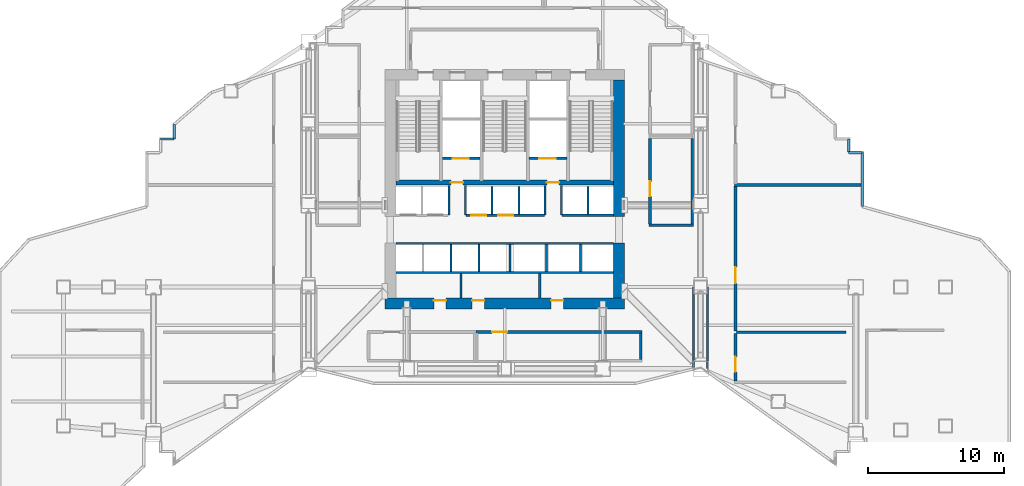
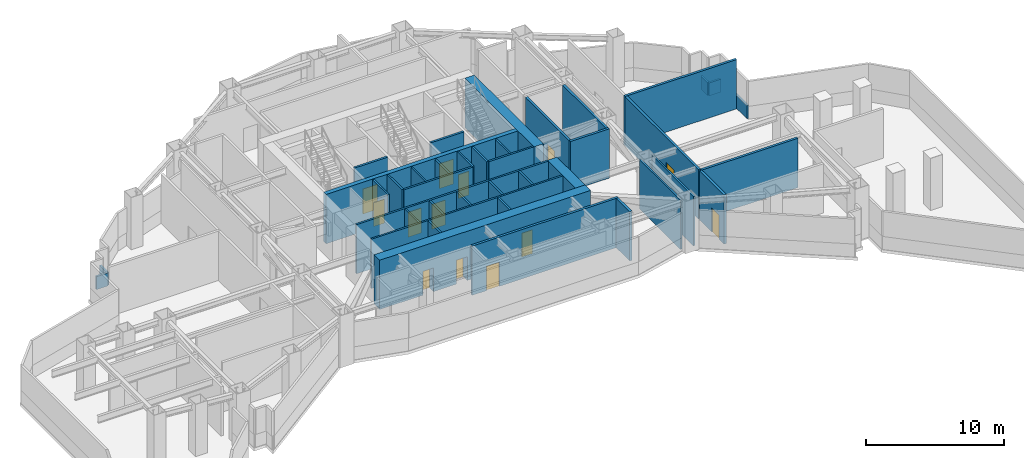
# One storey, part 14 of 23: 40 walls, 13 doors, 13 openings.
"""IFC4 building model written with IfcOpenShell, lengths in metres."""

from ifc_helpers import new_model, si_unit, direction, frame, frame_2d, origin, place, context, subcontext, project, spatial, rectangle, extrude, material, layer, layer_set, type_object, element, fill, save


model = new_model("IFC4")

# Units and contexts
model_context = context("Model", 3, precision=1e-05, world=origin(), true_north=direction((0.0, 1.0)))
body_context = subcontext(model_context, "Body", "Model", "MODEL_VIEW")
ifc_project = project(units=[si_unit("LENGTHUNIT", "METRE"), si_unit("AREAUNIT", "SQUARE_METRE"), si_unit("VOLUMEUNIT", "CUBIC_METRE"), si_unit("PLANEANGLEUNIT", "RADIAN"), si_unit("MASSUNIT", "GRAM", prefix="KILO")], contexts=[model_context])

# Site, building, storey
site_placement = place(None, origin())
site = spatial("IfcSite", under=ifc_project, at=site_placement, CompositionType="ELEMENT")
building_placement = place(site_placement, origin())
building = spatial("IfcBuilding", under=site, at=building_placement, Name="Haolan Belvedere Tower", CompositionType="ELEMENT")
storey_placement = place(building_placement, frame((0.0, 0.0, 89.39990234375)))
storey = spatial("IfcBuildingStorey", under=building, at=storey_placement, Name="L22", CompositionType="ELEMENT", Elevation=89.39990234375)

# Wall, openings, doors
ifc_material_1 = material(Name="Concrete C70/85", Category="concrete")
ifc_layer_1 = layer(ifc_material_1, 0.800048828125, Name="Concrete C70/85")
ifc_layer_set_1 = layer_set([ifc_layer_1], Name="Concrete C70/85")
wall_type_1 = type_object("IfcWallType", Name="WL-CORE-800", PredefinedType="SHEAR", material=ifc_layer_set_1)
wall_1_placement = place(storey_placement, frame((29.60009765625, 26.39990234375, 0.0), z_axis=(0.0, 0.0, 1.0), x_axis=(1.0, 0.0, 0.0)))
wall_1 = element("IfcWall", 1, at=wall_1_placement, inside=storey, type_object=wall_type_1, Name="L22 central core south shear wall", PredefinedType="SHEAR", context=body_context, shape_type="SweptSolid", body=[
    extrude(rectangle(XDim=17.599853515625, YDim=0.800048828125, at=frame_2d((8.7998046875, 0.0))), origin(), (0.0, 0.0, 1.0), 4.35009765625),
])
opening_1_placement = place(wall_1_placement, frame((4.5, 0.0, 0.0), z_axis=(0.0, 0.0, 1.0), x_axis=(-1.0, 0.0, 0.0)))
opening_1 = element("IfcOpeningElement", 2, at=opening_1_placement, cuts=wall_1, Name="Opening FD-05", PredefinedType="OPENING", context=body_context, shape_type="SweptSolid", body=[
    extrude(rectangle(XDim=0.89990234375, YDim=2.10009765625, at=frame_2d((0.449951171875, 1.050048828125))), frame((0.0, 0.409912109375, 0.0), z_axis=(0.0, -1.0, 0.0), x_axis=(1.0, 0.0, 0.0)), (0.0, 0.0, 1.0), 0.820068359375),
])
opening_2_placement = place(wall_1_placement, frame((7.309814453125, 0.0, 0.0), z_axis=(0.0, 0.0, 1.0), x_axis=(-1.0, 0.0, 0.0)))
opening_2 = element("IfcOpeningElement", 3, at=opening_2_placement, cuts=wall_1, Name="Opening FD-05", PredefinedType="OPENING", context=body_context, shape_type="SweptSolid", body=[
    extrude(rectangle(XDim=0.89990234375, YDim=2.10009765625, at=frame_2d((0.449951171875, 1.050048828125))), frame((0.0, 0.409912109375, 0.0), z_axis=(0.0, -1.0, 0.0), x_axis=(1.0, 0.0, 0.0)), (0.0, 0.0, 1.0), 0.820068359375),
])
opening_3_placement = place(wall_1_placement, frame((13.10986328125, 0.0, 0.0), z_axis=(0.0, 0.0, 1.0), x_axis=(-1.0, 0.0, 0.0)))
opening_3 = element("IfcOpeningElement", 4, at=opening_3_placement, cuts=wall_1, Name="Opening FD-05", PredefinedType="OPENING", context=body_context, shape_type="SweptSolid", body=[
    extrude(rectangle(XDim=0.89990234375, YDim=2.10009765625, at=frame_2d((0.449951171875, 1.050048828125))), frame((0.0, 0.409912109375, 0.0), z_axis=(0.0, -1.0, 0.0), x_axis=(1.0, 0.0, 0.0)), (0.0, 0.0, 1.0), 0.820068359375),
])
ifc_material_2 = material(Name="Galvanised fire-rated steel", Category="steel")
door_type_1 = type_object("IfcDoorType", Name="DR-FD60-900", OperationType="NOTDEFINED", PredefinedType="DOOR", material=ifc_material_2)
door_1_placement = place(opening_1_placement, origin())
door_1 = element("IfcDoor", 5, at=door_1_placement, inside=storey, type_object=door_type_1, Name="L22 door CD-L22-SCV-1", OperationType="SINGLE_SWING_LEFT", OverallHeight=2.10009765625, OverallWidth=0.89990234375, PredefinedType="DOOR", context=body_context, shape_type="SweptSolid", body=[
    extrude(rectangle(XDim=0.89990234375, YDim=2.10009765625, at=frame_2d((0.449951171875, 1.050048828125))), frame((0.0, -0.19482421875, 0.0), z_axis=(0.0, -1.0, 0.0), x_axis=(1.0, 0.0, 0.0)), (0.0, 0.0, 1.0), 0.050048828125),
])
fill(opening_1, door_1)
door_2_placement = place(opening_2_placement, origin())
door_2 = element("IfcDoor", 6, at=door_2_placement, inside=storey, type_object=door_type_1, Name="L22 door CD-L22-SCV-2", OperationType="SINGLE_SWING_RIGHT", OverallHeight=2.10009765625, OverallWidth=0.89990234375, PredefinedType="DOOR", context=body_context, shape_type="SweptSolid", body=[
    extrude(rectangle(XDim=0.89990234375, YDim=2.10009765625, at=frame_2d((0.449951171875, 1.050048828125))), frame((0.0, -0.19482421875, 0.0), z_axis=(0.0, -1.0, 0.0), x_axis=(1.0, 0.0, 0.0)), (0.0, 0.0, 1.0), 0.050048828125),
])
fill(opening_2, door_2)
door_3_placement = place(opening_3_placement, origin())
door_3 = element("IfcDoor", 7, at=door_3_placement, inside=storey, type_object=door_type_1, Name="L22 door CD-L22-SCV-3", OperationType="SINGLE_SWING_LEFT", OverallHeight=2.10009765625, OverallWidth=0.89990234375, PredefinedType="DOOR", context=body_context, shape_type="SweptSolid", body=[
    extrude(rectangle(XDim=0.89990234375, YDim=2.10009765625, at=frame_2d((0.449951171875, 1.050048828125))), frame((0.0, -0.19482421875, 0.0), z_axis=(0.0, -1.0, 0.0), x_axis=(1.0, 0.0, 0.0)), (0.0, 0.0, 1.0), 0.050048828125),
])
fill(opening_3, door_3)

# Walls
wall_2_placement = place(storey_placement, frame((46.800048828125, 26.800048828125, 0.0), z_axis=(0.0, 0.0, 1.0), x_axis=(0.0, 1.0, 0.0)))
element("IfcWall", 8, at=wall_2_placement, inside=storey, type_object=wall_type_1, Name="L22 central core shear wall ES", PredefinedType="SHEAR", context=body_context, shape_type="SweptSolid", body=[
    extrude(rectangle(XDim=4.050048828125, YDim=0.800048828125, at=frame_2d((2.02490234375, 0.0))), origin(), (0.0, 0.0, 1.0), 4.35009765625),
])
wall_3_placement = place(storey_placement, frame((46.800048828125, 32.800048828125, 0.0), z_axis=(0.0, 0.0, 1.0), x_axis=(0.0, 1.0, 0.0)))
element("IfcWall", 9, at=wall_3_placement, inside=storey, type_object=wall_type_1, Name="L22 central core shear wall EN", PredefinedType="SHEAR", context=body_context, shape_type="SweptSolid", body=[
    extrude(rectangle(XDim=10.0, YDim=0.800048828125, at=frame_2d((5.0, 0.0))), origin(), (0.0, 0.0, 1.0), 4.35009765625),
])
ifc_material_3 = material(Name="Concrete C40/50", Category="concrete")
ifc_layer_2 = layer(ifc_material_3, 0.199951171875, Name="Concrete C40/50")
ifc_layer_set_2 = layer_set([ifc_layer_2], Name="Concrete C40/50")
wall_type_2 = type_object("IfcWallType", Name="WL-FIRE-200", PredefinedType="SOLIDWALL", material=ifc_layer_set_2)
wall_4_placement = place(storey_placement, frame((55.280029296875, 35.10009765625, 0.0), z_axis=(0.0, 0.0, 1.0), x_axis=(1.0, 0.0, 0.0)))
element("IfcWall", 10, at=wall_4_placement, inside=storey, type_object=wall_type_2, Name="L22 interior partition IW-L22-REF-E1-N", PredefinedType="SOLIDWALL", context=body_context, shape_type="SweptSolid", body=[
    extrude(rectangle(XDim=9.307861328125, YDim=0.199951171875, at=frame_2d((4.65380859375, 0.0))), origin(), (0.0, 0.0, 1.0), 4.35009765625),
])

# Wall, opening, door
wall_5_placement = place(storey_placement, frame((55.360107421875, 24.3701171875, 0.0), z_axis=(0.0, 0.0, 1.0), x_axis=(0.0, 1.0, 0.0)))
wall_5 = element("IfcWall", 11, at=wall_5_placement, inside=storey, type_object=wall_type_2, Name="L22 interior partition IW-L22-REF-E1-W", PredefinedType="SOLIDWALL", context=body_context, shape_type="SweptSolid", body=[
    extrude(rectangle(XDim=10.644775390625, YDim=0.199951171875, at=frame_2d((5.322265625, 0.0))), origin(), (0.0, 0.0, 1.0), 4.35009765625),
])
opening_4_placement = place(wall_5_placement, frame((3.5, 0.0, 0.0)))
opening_4 = element("IfcOpeningElement", 12, at=opening_4_placement, cuts=wall_5, Name="Opening FD-02", PredefinedType="OPENING", context=body_context, shape_type="SweptSolid", body=[
    extrude(rectangle(XDim=1.199951171875, YDim=2.14990234375, at=frame_2d((0.60009765625, 1.074951171875))), frame((0.0, 0.10986328125, 0.0), z_axis=(0.0, -1.0, 0.0), x_axis=(1.0, 0.0, 0.0)), (0.0, 0.0, 1.0), 0.219970703125),
])
door_type_2 = type_object("IfcDoorType", Name="DR-FD90-1200", OperationType="NOTDEFINED", PredefinedType="DOOR", material=ifc_material_2)
door_4_placement = place(opening_4_placement, origin())
door_4 = element("IfcDoor", 13, at=door_4_placement, inside=storey, type_object=door_type_2, Name="L22 door ID-L22-REF-E1", OperationType="SINGLE_SWING_RIGHT", OverallHeight=2.14990234375, OverallWidth=1.199951171875, PredefinedType="DOOR", context=body_context, shape_type="SweptSolid", body=[
    extrude(rectangle(XDim=1.199951171875, YDim=2.14990234375, at=frame_2d((0.60009765625, 1.074951171875))), frame((0.0, 0.02490234375, 0.0), z_axis=(0.0, -1.0, 0.0), x_axis=(1.0, 0.0, 0.0)), (0.0, 0.0, 1.0), 0.050048828125),
])
fill(opening_4, door_4)

# Wall
wall_6_placement = place(storey_placement, frame((49.0, 32.14990234375, 0.0), z_axis=(0.0, 0.0, 1.0), x_axis=(1.0, 0.0, 0.0)))
element("IfcWall", 14, at=wall_6_placement, inside=storey, type_object=wall_type_2, Name="L22 interior partition IW-L22-REF-EI1-S", PredefinedType="SOLIDWALL", context=body_context, shape_type="SweptSolid", body=[
    extrude(rectangle(XDim=3.260009765625, YDim=0.199951171875, at=frame_2d((1.6298828125, 0.0))), origin(), (0.0, 0.0, 1.0), 4.35009765625),
])

# Wall, opening, door
wall_7_placement = place(storey_placement, frame((49.080078125, 32.235107421875, 0.0), z_axis=(0.0, 0.0, 1.0), x_axis=(0.0, 1.0, 0.0)))
wall_7 = element("IfcWall", 15, at=wall_7_placement, inside=storey, type_object=wall_type_2, Name="L22 interior partition IW-L22-REF-EI1-W", PredefinedType="SOLIDWALL", context=body_context, shape_type="SweptSolid", body=[
    extrude(rectangle(XDim=6.27978515625, YDim=0.199951171875, at=frame_2d((3.139892578125, 0.0))), origin(), (0.0, 0.0, 1.0), 4.35009765625),
])
opening_5_placement = place(wall_7_placement, frame((2.034912109375, 0.0, 0.0)))
opening_5 = element("IfcOpeningElement", 16, at=opening_5_placement, cuts=wall_7, Name="Opening FD-03", PredefinedType="OPENING", context=body_context, shape_type="SweptSolid", body=[
    extrude(rectangle(XDim=1.10009765625, YDim=2.14990234375, at=frame_2d((0.550048828125, 1.074951171875))), frame((0.0, 0.10986328125, 0.0), z_axis=(0.0, -1.0, 0.0), x_axis=(1.0, 0.0, 0.0)), (0.0, 0.0, 1.0), 0.219970703125),
])
door_type_3 = type_object("IfcDoorType", Name="DR-FD90-1100", OperationType="NOTDEFINED", PredefinedType="DOOR", material=ifc_material_2)
door_5_placement = place(opening_5_placement, origin())
door_5 = element("IfcDoor", 17, at=door_5_placement, inside=storey, type_object=door_type_3, Name="L22 door ID-L22-REF-EI1", OperationType="SINGLE_SWING_RIGHT", OverallHeight=2.14990234375, OverallWidth=1.10009765625, PredefinedType="DOOR", context=body_context, shape_type="SweptSolid", body=[
    extrude(rectangle(XDim=1.10009765625, YDim=2.14990234375, at=frame_2d((0.550048828125, 1.074951171875))), frame((0.0, 0.02490234375, 0.0), z_axis=(0.0, -1.0, 0.0), x_axis=(1.0, 0.0, 0.0)), (0.0, 0.0, 1.0), 0.050048828125),
])
fill(opening_5, door_5)

# Wall
wall_8_placement = place(storey_placement, frame((52.179931640625, 32.235107421875, 0.0), z_axis=(0.0, 0.0, 1.0), x_axis=(0.0, 1.0, 0.0)))
element("IfcWall", 18, at=wall_8_placement, inside=storey, type_object=wall_type_2, Name="L22 interior partition IW-L22-REF-EI1-E", PredefinedType="SOLIDWALL", context=body_context, shape_type="SweptSolid", body=[
    extrude(rectangle(XDim=6.27978515625, YDim=0.199951171875, at=frame_2d((3.139892578125, 0.0))), origin(), (0.0, 0.0, 1.0), 4.35009765625),
])

# Wall, opening, door
wall_9_placement = place(storey_placement, frame((36.284912109375, 24.300048828125, 0.0), z_axis=(0.0, 0.0, 1.0), x_axis=(1.0, 0.0, 0.0)))
wall_9 = element("IfcWall", 19, at=wall_9_placement, inside=storey, type_object=wall_type_2, Name="L22 interior partition IW-L22-PLT-CHW-N", PredefinedType="SOLIDWALL", context=body_context, shape_type="SweptSolid", body=[
    extrude(rectangle(XDim=12.195068359375, YDim=0.199951171875, at=frame_2d((6.09765625, 0.0))), origin(), (0.0, 0.0, 1.0), 4.35009765625),
])
opening_6_placement = place(wall_9_placement, frame((2.295166015625, 0.0, 0.0), z_axis=(0.0, 0.0, 1.0), x_axis=(-1.0, 0.0, 0.0)))
opening_6 = element("IfcOpeningElement", 20, at=opening_6_placement, cuts=wall_9, Name="Opening FD-03", PredefinedType="OPENING", context=body_context, shape_type="SweptSolid", body=[
    extrude(rectangle(XDim=1.10009765625, YDim=2.14990234375, at=frame_2d((0.550048828125, 1.074951171875))), frame((0.0, 0.10986328125, 0.0), z_axis=(0.0, -1.0, 0.0), x_axis=(1.0, 0.0, 0.0)), (0.0, 0.0, 1.0), 0.219970703125),
])
door_6_placement = place(opening_6_placement, origin())
door_6 = element("IfcDoor", 21, at=door_6_placement, inside=storey, type_object=door_type_3, Name="L22 door ID-L22-PLT-CHW", OperationType="SINGLE_SWING_RIGHT", OverallHeight=2.14990234375, OverallWidth=1.10009765625, PredefinedType="DOOR", context=body_context, shape_type="SweptSolid", body=[
    extrude(rectangle(XDim=1.10009765625, YDim=2.14990234375, at=frame_2d((0.550048828125, 1.074951171875))), frame((0.0, 0.02490234375, 0.0), z_axis=(0.0, -1.0, 0.0), x_axis=(1.0, 0.0, 0.0)), (0.0, 0.0, 1.0), 0.050048828125),
])
fill(opening_6, door_6)

# Walls
wall_10_placement = place(storey_placement, frame((48.39990234375, 22.264892578125, 0.0), z_axis=(0.0, 0.0, 1.0), x_axis=(0.0, 1.0, 0.0)))
element("IfcWall", 22, at=wall_10_placement, inside=storey, type_object=wall_type_2, Name="L22 interior partition IW-L22-PLT-CHW-E", PredefinedType="SOLIDWALL", context=body_context, shape_type="SweptSolid", body=[
    extrude(rectangle(XDim=1.9501953125, YDim=0.199951171875, at=frame_2d((0.97509765625, 0.0))), origin(), (0.0, 0.0, 1.0), 4.35009765625),
])
wall_11_placement = place(storey_placement, frame((55.445068359375, 24.2900390625, 0.0), z_axis=(0.0, 0.0, 1.0), x_axis=(1.0, 0.0, 0.0)))
element("IfcWall", 23, at=wall_11_placement, inside=storey, type_object=wall_type_2, Name="L22 interior partition IW-L22-PLT-TNK-N", PredefinedType="SOLIDWALL", context=body_context, shape_type="SweptSolid", body=[
    extrude(rectangle(XDim=8.034912109375, YDim=0.199951171875, at=frame_2d((4.017578125, 0.0))), origin(), (0.0, 0.0, 1.0), 4.35009765625),
])

# Wall, opening, door
wall_12_placement = place(storey_placement, frame((55.360107421875, 20.68505859375, 0.0), z_axis=(0.0, 0.0, 1.0), x_axis=(0.0, 1.0, 0.0)))
wall_12 = element("IfcWall", 24, at=wall_12_placement, inside=storey, type_object=wall_type_2, Name="L22 interior partition IW-L22-PLT-TNK-W", PredefinedType="SOLIDWALL", context=body_context, shape_type="SweptSolid", body=[
    extrude(rectangle(XDim=3.52001953125, YDim=0.199951171875, at=frame_2d((1.760009765625, 0.0))), origin(), (0.0, 0.0, 1.0), 4.35009765625),
])
opening_7_placement = place(wall_12_placement, frame((0.68505859375, 0.0, 0.0)))
opening_7 = element("IfcOpeningElement", 25, at=opening_7_placement, cuts=wall_12, Name="Opening FD-03", PredefinedType="OPENING", context=body_context, shape_type="SweptSolid", body=[
    extrude(rectangle(XDim=1.10009765625, YDim=2.14990234375, at=frame_2d((0.550048828125, 1.074951171875))), frame((0.0, 0.10986328125, 0.0), z_axis=(0.0, -1.0, 0.0), x_axis=(1.0, 0.0, 0.0)), (0.0, 0.0, 1.0), 0.219970703125),
])
door_7_placement = place(opening_7_placement, origin())
door_7 = element("IfcDoor", 26, at=door_7_placement, inside=storey, type_object=door_type_3, Name="L22 door ID-L22-PLT-TNK", OperationType="SINGLE_SWING_LEFT", OverallHeight=2.14990234375, OverallWidth=1.10009765625, PredefinedType="DOOR", context=body_context, shape_type="SweptSolid", body=[
    extrude(rectangle(XDim=1.10009765625, YDim=2.14990234375, at=frame_2d((0.550048828125, 1.074951171875))), frame((0.0, 0.02490234375, 0.0), z_axis=(0.0, -1.0, 0.0), x_axis=(1.0, 0.0, 0.0)), (0.0, 0.0, 1.0), 0.050048828125),
])
fill(opening_7, door_7)

# Walls
ifc_material_4 = material(Name="Precast concrete C40/50", Category="concrete")
ifc_layer_3 = layer(ifc_material_4, 0.159912109375, Name="Precast concrete C40/50")
ifc_layer_set_3 = layer_set([ifc_layer_3], Name="Precast concrete C40/50")
wall_type_3 = type_object("IfcWallType", Name="WL-PAR-160", PredefinedType="PARAPET", material=ifc_layer_set_3)
wall_13_placement = place(storey_placement, frame((64.679931640625, 33.538818359375, 0.0), z_axis=(0.0, 0.0, 1.0), x_axis=(0.0, 1.0, 0.0)))
element("IfcWall", 27, at=wall_13_placement, inside=storey, type_object=wall_type_3, Name="L22 refuge open-band parapet 29.1", PredefinedType="PARAPET", context=body_context, shape_type="SweptSolid", body=[
    extrude(rectangle(XDim=3.941162109375, YDim=0.159912109375, at=frame_2d((1.970703125, 0.0))), origin(), (0.0, 0.0, 1.0), 1.150146484375),
])
for number, where, z_axis, x_axis, name in (
    (28, (64.64990234375, 37.47998046875, 0.0), (0.0, 0.0, 1.0), (-1.0, 0.0, 0.0), "L22 refuge open-band parapet 30.1"),
    (29, (63.679931640625, 37.510009765625, 0.0), (0.0, 0.0, 1.0), (0.0, 1.0, 0.0), "L22 refuge open-band parapet 31.1"),
):
    element("IfcWall", number, at=place(storey_placement, frame(where, z_axis=z_axis, x_axis=x_axis)), inside=storey, type_object=wall_type_3, Name=name, PredefinedType="PARAPET", context=body_context, shape_type="SweptSolid", body=[
        extrude(rectangle(XDim=0.969970703125, YDim=0.159912109375, at=frame_2d((0.48486328125, 0.0))), origin(), (0.0, 0.0, 1.0), 1.150146484375),
    ])
wall_14_placement = place(storey_placement, frame((14.1201171875, 39.544921875, 0.0), z_axis=(0.0, 0.0, 1.0), x_axis=(0.0, -1.0, 0.0)))
element("IfcWall", 30, at=wall_14_placement, inside=storey, type_object=wall_type_3, Name="L22 refuge open-band parapet 52.1", PredefinedType="PARAPET", context=body_context, shape_type="SweptSolid", body=[
    extrude(rectangle(XDim=1.06494140625, YDim=0.159912109375, at=frame_2d((0.532470703125, 0.0))), origin(), (0.0, 0.0, 1.0), 1.150146484375),
])
wall_15_placement = place(storey_placement, frame((14.090087890625, 38.47998046875, 0.0), z_axis=(0.0, 0.0, 1.0), x_axis=(-1.0, 0.0, 0.0)))
element("IfcWall", 31, at=wall_15_placement, inside=storey, type_object=wall_type_3, Name="L22 refuge open-band parapet 53.1", PredefinedType="PARAPET", context=body_context, shape_type="SweptSolid", body=[
    extrude(rectangle(XDim=0.969970703125, YDim=0.159912109375, at=frame_2d((0.48486328125, 0.0))), origin(), (0.0, 0.0, 1.0), 1.150146484375),
])
ifc_material_5 = material(Name="Double gypsum acoustic stud partition", Category="masonry")
ifc_layer_4 = layer(ifc_material_5, 0.14990234375, Name="Double gypsum acoustic stud partition")
ifc_layer_set_4 = layer_set([ifc_layer_4], Name="Double gypsum acoustic stud partition")
wall_type_4 = type_object("IfcWallType", Name="WL-PART-150", PredefinedType="PARTITIONING", material=ifc_layer_set_4)
wall_16_placement = place(storey_placement, frame((30.39990234375, 28.659912109375, 0.0), z_axis=(0.0, 0.0, 1.0), x_axis=(1.0, 0.0, 0.0)))
element("IfcWall", 32, at=wall_16_placement, inside=storey, type_object=wall_type_4, Name="L22 interior partition IW-L22-SSTRIP-N", PredefinedType="PARTITIONING", context=body_context, shape_type="SweptSolid", body=[
    extrude(rectangle(XDim=16.0, YDim=0.14990234375, at=frame_2d((8.0, 0.0))), origin(), (0.0, 0.0, 1.0), 4.35009765625),
])
for number, where, z_axis, x_axis, name in (
    (33, (35.179931640625, 26.81005859375, 0.0), (0.0, 0.0, 1.0), (0.0, 1.0, 0.0), "L22 interior partition IW-L22-SCV-DIV-1"),
    (34, (40.97998046875, 26.81005859375, 0.0), (0.0, 0.0, 1.0), (0.0, 1.0, 0.0), "L22 interior partition IW-L22-SCV-DIV-2"),
):
    element("IfcWall", number, at=place(storey_placement, frame(where, z_axis=z_axis, x_axis=x_axis)), inside=storey, type_object=wall_type_4, Name=name, PredefinedType="PARTITIONING", context=body_context, shape_type="SweptSolid", body=[
        extrude(rectangle(XDim=1.77001953125, YDim=0.14990234375, at=frame_2d((0.885009765625, 0.0))), origin(), (0.0, 0.0, 1.0), 4.35009765625),
    ])
wall_17_placement = place(storey_placement, frame((53.320068359375, 21.60009765625, 0.0), z_axis=(0.0, 0.0, 1.0), x_axis=(0.0, 1.0, 0.0)))
element("IfcWall", 35, at=wall_17_placement, inside=storey, type_object=wall_type_4, Name="L22 interior partition IW-L22-CH-BTE1-1", PredefinedType="PARTITIONING", context=body_context, shape_type="SweptSolid", body=[
    extrude(rectangle(XDim=6.0, YDim=0.14990234375, at=frame_2d((3.0, 0.0))), origin(), (0.0, 0.0, 1.0), 4.35009765625),
])
wall_18_placement = place(storey_placement, frame((52.280029296875, 21.6884765625, 0.0), z_axis=(0.0, 0.0, 1.0), x_axis=(0.0, 1.0, 0.0)))
element("IfcWall", 36, at=wall_18_placement, inside=storey, type_object=wall_type_4, Name="L22 interior partition IW-L22-CH-BTE1-2", PredefinedType="PARTITIONING", context=body_context, shape_type="SweptSolid", body=[
    extrude(rectangle(XDim=5.91162109375, YDim=0.14990234375, at=frame_2d((2.955810546875, 0.0))), origin(), (0.0, 0.0, 1.0), 4.35009765625),
])
ifc_material_6 = material(Name="Gypsum fire shaftwall assembly", Category="masonry")
ifc_layer_5 = layer(ifc_material_6, 0.1650390625, Name="Gypsum fire shaftwall assembly")
ifc_layer_set_5 = layer_set([ifc_layer_5], Name="Gypsum fire shaftwall assembly")
wall_type_5 = type_object("IfcWallType", Name="WL-SHAFT-160", PredefinedType="SOLIDWALL", material=ifc_layer_set_5)
for number, where, z_axis, x_axis, name in (
    (37, (34.31005859375, 32.8798828125, 0.0), (0.0, 0.0, 1.0), (0.0, 1.0, 0.0), "L22 interior partition IW-L22-SVP-W-SV1"),
    (38, (35.510009765625, 32.8798828125, 0.0), (0.0, 0.0, 1.0), (0.0, 1.0, 0.0), "L22 interior partition IW-L22-SVP-E-SV1"),
    (39, (41.3701171875, 32.8798828125, 0.0), (0.0, 0.0, 1.0), (0.0, 1.0, 0.0), "L22 interior partition IW-L22-SVP-W-SV2"),
    (40, (42.570068359375, 32.8798828125, 0.0), (0.0, 0.0, 1.0), (0.0, 1.0, 0.0), "L22 interior partition IW-L22-SVP-E-SV2"),
):
    element("IfcWall", number, at=place(storey_placement, frame(where, z_axis=z_axis, x_axis=x_axis)), inside=storey, type_object=wall_type_5, Name=name, PredefinedType="SOLIDWALL", context=body_context, shape_type="SweptSolid", body=[
        extrude(rectangle(XDim=2.170166015625, YDim=0.14990234375, at=frame_2d((1.0849609375, 0.0))), origin(), (0.0, 0.0, 1.0), 4.35009765625),
    ])

# Wall, openings, doors
wall_19_placement = place(storey_placement, frame((35.570068359375, 32.8798828125, 0.0), z_axis=(0.0, 0.0, 1.0), x_axis=(1.0, 0.0, 0.0)))
wall_19 = element("IfcWall", 41, at=wall_19_placement, inside=storey, type_object=wall_type_5, Name="L22 interior partition IW-L22-ROW-PN2", PredefinedType="SOLIDWALL", context=body_context, shape_type="SweptSolid", body=[
    extrude(rectangle(XDim=5.739990234375, YDim=0.159912109375, at=frame_2d((2.8701171875, 0.0))), origin(), (0.0, 0.0, 1.0), 4.35009765625),
])
opening_8_placement = place(wall_19_placement, frame((1.47021484375, 0.0, 0.0), z_axis=(0.0, 0.0, 1.0), x_axis=(-1.0, 0.0, 0.0)))
opening_8 = element("IfcOpeningElement", 42, at=opening_8_placement, cuts=wall_19, Name="Opening LD-01", PredefinedType="OPENING", context=body_context, shape_type="SweptSolid", body=[
    extrude(rectangle(XDim=1.10009765625, YDim=2.199951171875, at=frame_2d((0.550048828125, 1.10009765625))), frame((0.0, 0.08984375, 0.0), z_axis=(0.0, -1.0, 0.0), x_axis=(1.0, 0.0, 0.0)), (0.0, 0.0, 1.0), 0.179931640625),
])
opening_9_placement = place(wall_19_placement, frame((3.460205078125, 0.0, 0.0), z_axis=(0.0, 0.0, 1.0), x_axis=(-1.0, 0.0, 0.0)))
opening_9 = element("IfcOpeningElement", 43, at=opening_9_placement, cuts=wall_19, Name="Opening LD-01", PredefinedType="OPENING", context=body_context, shape_type="SweptSolid", body=[
    extrude(rectangle(XDim=1.10009765625, YDim=2.199951171875, at=frame_2d((0.550048828125, 1.10009765625))), frame((0.0, 0.08984375, 0.0), z_axis=(0.0, -1.0, 0.0), x_axis=(1.0, 0.0, 0.0)), (0.0, 0.0, 1.0), 0.179931640625),
])
ifc_material_7 = material(Name="Brushed champagne stainless steel 316L", Category="steel")
door_type_4 = type_object("IfcDoorType", Name="DR-LIFT-1100", OperationType="SLIDING_TO_LEFT", PredefinedType="DOOR", material=ifc_material_7)
door_8_placement = place(opening_8_placement, origin())
door_8 = element("IfcDoor", 44, at=door_8_placement, inside=storey, type_object=door_type_4, Name="L22 door ID-L22-LD-PL3", OperationType="SLIDING_TO_LEFT", OverallHeight=2.199951171875, OverallWidth=1.10009765625, PredefinedType="DOOR", context=body_context, shape_type="SweptSolid", body=[
    extrude(rectangle(XDim=1.10009765625, YDim=2.199951171875, at=frame_2d((0.550048828125, 1.10009765625))), frame((0.0, 0.02490234375, 0.0), z_axis=(0.0, -1.0, 0.0), x_axis=(1.0, 0.0, 0.0)), (0.0, 0.0, 1.0), 0.050048828125),
])
fill(opening_8, door_8)
door_9_placement = place(opening_9_placement, origin())
door_9 = element("IfcDoor", 45, at=door_9_placement, inside=storey, type_object=door_type_4, Name="L22 door ID-L22-LD-PL4", OperationType="SLIDING_TO_LEFT", OverallHeight=2.199951171875, OverallWidth=1.10009765625, PredefinedType="DOOR", context=body_context, shape_type="SweptSolid", body=[
    extrude(rectangle(XDim=1.10009765625, YDim=2.199951171875, at=frame_2d((0.550048828125, 1.10009765625))), frame((0.0, 0.02490234375, 0.0), z_axis=(0.0, -1.0, 0.0), x_axis=(1.0, 0.0, 0.0)), (0.0, 0.0, 1.0), 0.050048828125),
])
fill(opening_9, door_9)

# Walls
wall_20_placement = place(storey_placement, frame((42.6298828125, 32.8798828125, 0.0), z_axis=(0.0, 0.0, 1.0), x_axis=(1.0, 0.0, 0.0)))
element("IfcWall", 46, at=wall_20_placement, inside=storey, type_object=wall_type_5, Name="L22 interior partition IW-L22-ROW-PN3", PredefinedType="SOLIDWALL", context=body_context, shape_type="SweptSolid", body=[
    extrude(rectangle(XDim=3.77001953125, YDim=0.159912109375, at=frame_2d((1.885009765625, 0.0))), origin(), (0.0, 0.0, 1.0), 4.35009765625),
])
for number, where, z_axis, x_axis, name in (
    (47, (37.47998046875, 32.949951171875, 0.0), (0.0, 0.0, 1.0), (0.0, 1.0, 0.0), "L22 interior partition IW-L22-DIV-PL3"),
    (48, (39.469970703125, 32.949951171875, 0.0), (0.0, 0.0, 1.0), (0.0, 1.0, 0.0), "L22 interior partition IW-L22-DIV-PL4"),
    (49, (44.530029296875, 32.949951171875, 0.0), (0.0, 0.0, 1.0), (0.0, 1.0, 0.0), "L22 interior partition IW-L22-DIV-PH2"),
):
    element("IfcWall", number, at=place(storey_placement, frame(where, z_axis=z_axis, x_axis=x_axis)), inside=storey, type_object=wall_type_5, Name=name, PredefinedType="SOLIDWALL", context=body_context, shape_type="SweptSolid", body=[
        extrude(rectangle(XDim=2.050048828125, YDim=0.14990234375, at=frame_2d((1.02490234375, 0.0))), origin(), (0.0, 0.0, 1.0), 4.35009765625),
    ])
wall_21_placement = place(storey_placement, frame((30.39990234375, 30.800048828125, 0.0), z_axis=(0.0, 0.0, 1.0), x_axis=(1.0, 0.0, 0.0)))
element("IfcWall", 50, at=wall_21_placement, inside=storey, type_object=wall_type_5, Name="L22 interior partition IW-L22-ROW-PS", PredefinedType="SOLIDWALL", context=body_context, shape_type="SweptSolid", body=[
    extrude(rectangle(XDim=16.0, YDim=0.159912109375, at=frame_2d((8.0, 0.0))), origin(), (0.0, 0.0, 1.0), 4.35009765625),
])
for number, where, z_axis, x_axis, name in (
    (51, (34.4599609375, 28.735107421875, 0.0), (0.0, 0.0, 1.0), (0.0, 1.0, 0.0), "L22 interior partition IW-L22-DIV-PM2"),
    (52, (36.52001953125, 28.735107421875, 0.0), (0.0, 0.0, 1.0), (0.0, 1.0, 0.0), "L22 interior partition IW-L22-DIV-PM3"),
    (53, (38.800048828125, 28.735107421875, 0.0), (0.0, 0.0, 1.0), (0.0, 1.0, 0.0), "L22 interior partition IW-L22-DIV-PM4"),
):
    element("IfcWall", number, at=place(storey_placement, frame(where, z_axis=z_axis, x_axis=x_axis)), inside=storey, type_object=wall_type_5, Name=name, PredefinedType="SOLIDWALL", context=body_context, shape_type="SweptSolid", body=[
        extrude(rectangle(XDim=1.98486328125, YDim=0.14990234375, at=frame_2d((0.992431640625, 0.0))), origin(), (0.0, 0.0, 1.0), 4.35009765625),
    ])
for number, where, z_axis, x_axis, name in (
    (54, (41.469970703125, 28.75, 0.0), (0.0, 0.0, 1.0), (0.0, 1.0, 0.0), "L22 interior partition IW-L22-DIV-OB1"),
    (55, (43.97998046875, 28.75, 0.0), (0.0, 0.0, 1.0), (0.0, 1.0, 0.0), "L22 interior partition IW-L22-DIV-OB2"),
):
    element("IfcWall", number, at=place(storey_placement, frame(where, z_axis=z_axis, x_axis=x_axis)), inside=storey, type_object=wall_type_5, Name=name, PredefinedType="SOLIDWALL", context=body_context, shape_type="SweptSolid", body=[
        extrude(rectangle(XDim=1.985107421875, YDim=0.14990234375, at=frame_2d((0.99267578125, 0.0))), origin(), (0.0, 0.0, 1.0), 4.35009765625),
    ])

# Wall, opening, door
ifc_layer_6 = layer(ifc_material_4, 0.179931640625, Name="Precast concrete C40/50")
ifc_layer_set_6 = layer_set([ifc_layer_6], Name="Precast concrete C40/50")
wall_type_6 = type_object("IfcWallType", Name="WL-SHAFT-180", PredefinedType="SOLIDWALL", material=ifc_layer_set_6)
wall_22_placement = place(storey_placement, frame((33.8349609375, 37.050048828125, 0.0), z_axis=(0.0, 0.0, 1.0), x_axis=(1.0, 0.0, 0.0)))
wall_22 = element("IfcWall", 56, at=wall_22_placement, inside=storey, type_object=wall_type_6, Name="L22 interior partition IW-L22-SV1-S", PredefinedType="SOLIDWALL", context=body_context, shape_type="SweptSolid", body=[
    extrude(rectangle(XDim=2.77001953125, YDim=0.179931640625, at=frame_2d((1.385009765625, 0.0))), origin(), (0.0, 0.0, 1.0), 4.35009765625),
])
opening_10_placement = place(wall_22_placement, frame((1.945068359375, 0.0, 0.0), z_axis=(0.0, 0.0, 1.0), x_axis=(-1.0, 0.0, 0.0)))
opening_10 = element("IfcOpeningElement", 57, at=opening_10_placement, cuts=wall_22, Name="Opening LD-02", PredefinedType="OPENING", context=body_context, shape_type="SweptSolid", body=[
    extrude(rectangle(XDim=1.199951171875, YDim=2.199951171875, at=frame_2d((0.60009765625, 1.10009765625))), frame((0.0, 0.099853515625, 0.0), z_axis=(0.0, -1.0, 0.0), x_axis=(1.0, 0.0, 0.0)), (0.0, 0.0, 1.0), 0.199951171875),
])
door_type_5 = type_object("IfcDoorType", Name="DR-LIFT-1200", OperationType="SLIDING_TO_RIGHT", PredefinedType="DOOR", material=ifc_material_7)
door_10_placement = place(opening_10_placement, origin())
door_10 = element("IfcDoor", 58, at=door_10_placement, inside=storey, type_object=door_type_5, Name="L22 door ID-L22-LD-SV1", OperationType="SLIDING_TO_RIGHT", OverallHeight=2.199951171875, OverallWidth=1.199951171875, PredefinedType="DOOR", context=body_context, shape_type="SweptSolid", body=[
    extrude(rectangle(XDim=1.199951171875, YDim=2.199951171875, at=frame_2d((0.60009765625, 1.10009765625))), frame((0.0, 0.02490234375, 0.0), z_axis=(0.0, -1.0, 0.0), x_axis=(1.0, 0.0, 0.0)), (0.0, 0.0, 1.0), 0.050048828125),
])
fill(opening_10, door_10)

wall_23_placement = place(storey_placement, frame((40.195068359375, 37.050048828125, 0.0), z_axis=(0.0, 0.0, 1.0), x_axis=(1.0, 0.0, 0.0)))
wall_23 = element("IfcWall", 59, at=wall_23_placement, inside=storey, type_object=wall_type_6, Name="L22 interior partition IW-L22-SV2-S", PredefinedType="SOLIDWALL", context=body_context, shape_type="SweptSolid", body=[
    extrude(rectangle(XDim=2.77001953125, YDim=0.179931640625, at=frame_2d((1.385009765625, 0.0))), origin(), (0.0, 0.0, 1.0), 4.35009765625),
])
opening_11_placement = place(wall_23_placement, frame((1.945068359375, 0.0, 0.0), z_axis=(0.0, 0.0, 1.0), x_axis=(-1.0, 0.0, 0.0)))
opening_11 = element("IfcOpeningElement", 60, at=opening_11_placement, cuts=wall_23, Name="Opening LD-02", PredefinedType="OPENING", context=body_context, shape_type="SweptSolid", body=[
    extrude(rectangle(XDim=1.199951171875, YDim=2.199951171875, at=frame_2d((0.60009765625, 1.10009765625))), frame((0.0, 0.099853515625, 0.0), z_axis=(0.0, -1.0, 0.0), x_axis=(1.0, 0.0, 0.0)), (0.0, 0.0, 1.0), 0.199951171875),
])
door_11_placement = place(opening_11_placement, origin())
door_11 = element("IfcDoor", 61, at=door_11_placement, inside=storey, type_object=door_type_5, Name="L22 door ID-L22-LD-SV2", OperationType="SLIDING_TO_RIGHT", OverallHeight=2.199951171875, OverallWidth=1.199951171875, PredefinedType="DOOR", context=body_context, shape_type="SweptSolid", body=[
    extrude(rectangle(XDim=1.199951171875, YDim=2.199951171875, at=frame_2d((0.60009765625, 1.10009765625))), frame((0.0, 0.02490234375, 0.0), z_axis=(0.0, -1.0, 0.0), x_axis=(1.0, 0.0, 0.0)), (0.0, 0.0, 1.0), 0.050048828125),
])
fill(opening_11, door_11)

# Wall, openings, doors
ifc_material_8 = material(Name="Concrete C60/75", Category="concrete")
ifc_layer_7 = layer(ifc_material_8, 0.360107421875, Name="Concrete C60/75")
ifc_layer_set_7 = layer_set([ifc_layer_7], Name="Concrete C60/75")
wall_type_7 = type_object("IfcWallType", Name="WL-WEB-350", PredefinedType="SHEAR", material=ifc_layer_set_7)
wall_24_placement = place(storey_placement, frame((30.39990234375, 35.2900390625, 0.0), z_axis=(0.0, 0.0, 1.0), x_axis=(1.0, 0.0, 0.0)))
wall_24 = element("IfcWall", 62, at=wall_24_placement, inside=storey, type_object=wall_type_7, Name="L22 central core internal shear web", PredefinedType="SHEAR", context=body_context, shape_type="SweptSolid", body=[
    extrude(rectangle(XDim=16.0, YDim=0.360107421875, at=frame_2d((8.0, 0.0))), origin(), (0.0, 0.0, 1.0), 4.35009765625),
])
opening_12_placement = place(wall_24_placement, frame((4.949951171875, 0.0, 0.0), z_axis=(0.0, 0.0, 1.0), x_axis=(-1.0, 0.0, 0.0)))
opening_12 = element("IfcOpeningElement", 63, at=opening_12_placement, cuts=wall_24, Name="Opening FD-05", PredefinedType="OPENING", context=body_context, shape_type="SweptSolid", body=[
    extrude(rectangle(XDim=0.89990234375, YDim=2.10009765625, at=frame_2d((0.449951171875, 1.050048828125))), frame((0.0, 0.18994140625, 0.0), z_axis=(0.0, -1.0, 0.0), x_axis=(1.0, 0.0, 0.0)), (0.0, 0.0, 1.0), 0.380126953125),
])
opening_13_placement = place(wall_24_placement, frame((12.010009765625, 0.0, 0.0), z_axis=(0.0, 0.0, 1.0), x_axis=(-1.0, 0.0, 0.0)))
opening_13 = element("IfcOpeningElement", 64, at=opening_13_placement, cuts=wall_24, Name="Opening FD-05", PredefinedType="OPENING", context=body_context, shape_type="SweptSolid", body=[
    extrude(rectangle(XDim=0.89990234375, YDim=2.10009765625, at=frame_2d((0.449951171875, 1.050048828125))), frame((0.0, 0.18994140625, 0.0), z_axis=(0.0, -1.0, 0.0), x_axis=(1.0, 0.0, 0.0)), (0.0, 0.0, 1.0), 0.380126953125),
])
door_12_placement = place(opening_12_placement, origin())
door_12 = element("IfcDoor", 65, at=door_12_placement, inside=storey, type_object=door_type_1, Name="L22 door CD-L22-SVL-SV1", OperationType="SINGLE_SWING_RIGHT", OverallHeight=2.10009765625, OverallWidth=0.89990234375, PredefinedType="DOOR", context=body_context, shape_type="SweptSolid", body=[
    extrude(rectangle(XDim=0.89990234375, YDim=2.10009765625, at=frame_2d((0.449951171875, 1.050048828125))), frame((0.0, 0.02490234375, 0.0), z_axis=(0.0, -1.0, 0.0), x_axis=(1.0, 0.0, 0.0)), (0.0, 0.0, 1.0), 0.050048828125),
])
fill(opening_12, door_12)
door_13_placement = place(opening_13_placement, origin())
door_13 = element("IfcDoor", 66, at=door_13_placement, inside=storey, type_object=door_type_1, Name="L22 door CD-L22-SVL-SV2", OperationType="SINGLE_SWING_RIGHT", OverallHeight=2.10009765625, OverallWidth=0.89990234375, PredefinedType="DOOR", context=body_context, shape_type="SweptSolid", body=[
    extrude(rectangle(XDim=0.89990234375, YDim=2.10009765625, at=frame_2d((0.449951171875, 1.050048828125))), frame((0.0, 0.02490234375, 0.0), z_axis=(0.0, -1.0, 0.0), x_axis=(1.0, 0.0, 0.0)), (0.0, 0.0, 1.0), 0.050048828125),
])
fill(opening_13, door_13)

save(model, "model.ifc")
